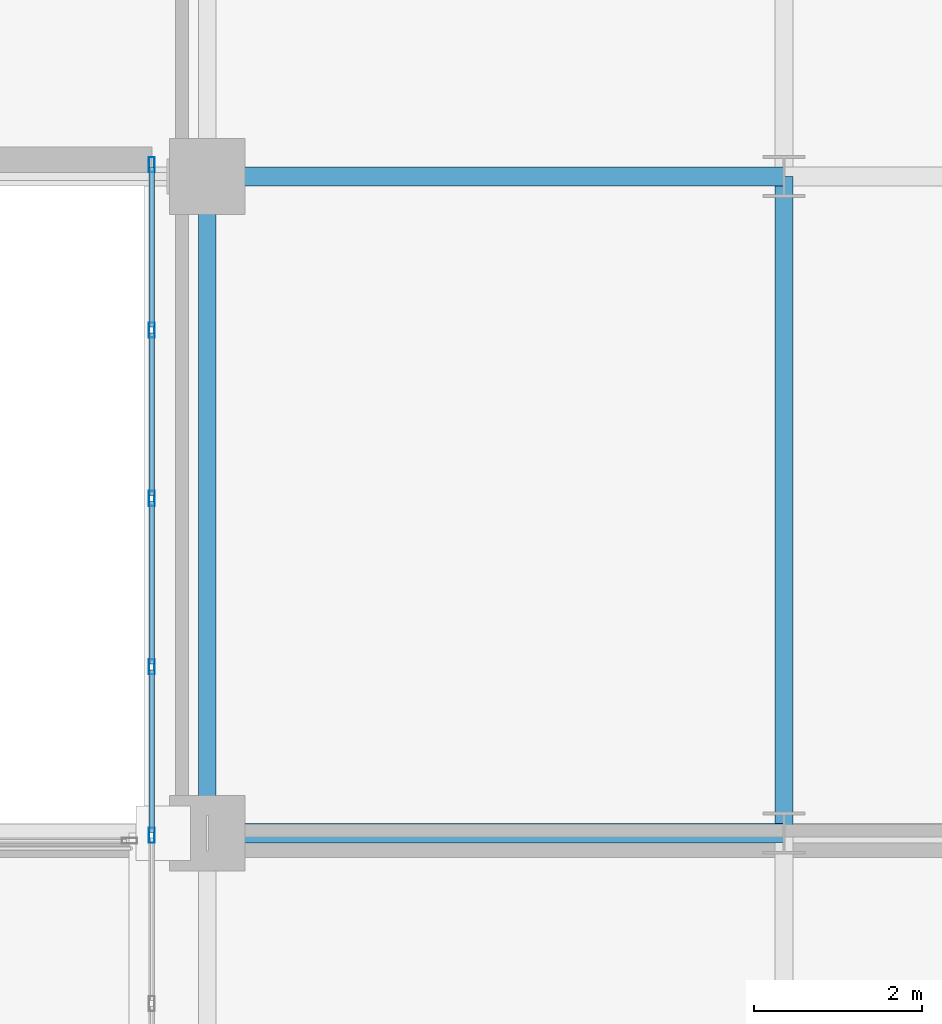
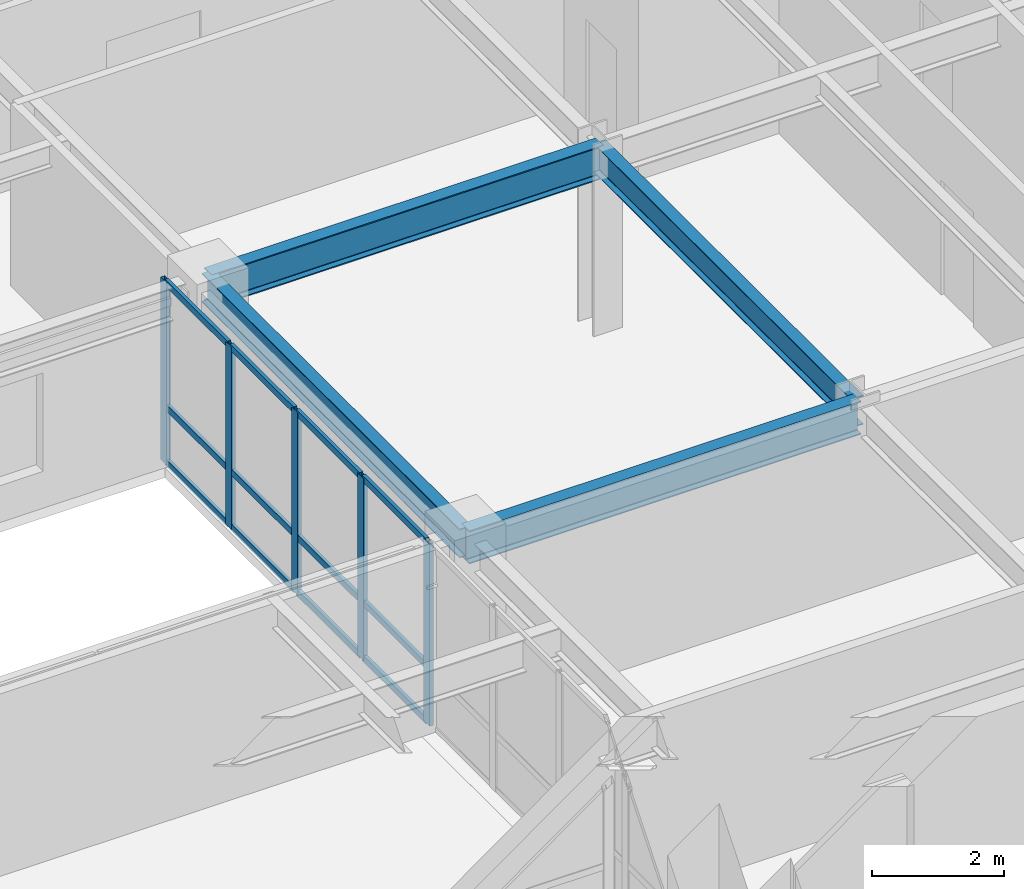
# One storey, part 7 of 25: 17 members, 4 beams, 1 element without a shape of its own.
"""IFC4 building model written with IfcOpenShell, lengths in metres."""

import ifcopenshell
import ifcopenshell.guid

model = None  # the IFC model being written
_history = None  # IfcOwnerHistory: only IFC2X3 demands one
_inside = {}  # id of a spatial element -> (the spatial element, [elements in it])
_under = {}  # id of a project, library or spatial element -> (it, [spatial elements below it])
_declared = {}  # id of a project -> (the project, [libraries it declares])
_typed = {}  # id of a type object -> (the type object, [elements of that type])
_made_of = {}  # id of a material, layer set ... -> (it, [elements and type objects made of it])


def new_model(schema):
    """Start an empty IFC model of exactly this schema.

    Asked for "IFC4X3", IfcOpenShell would pick the latest addendum, in which some entities
    have other attributes; the version numbers below select the first issue.
    IFC2X3 requires an IfcOwnerHistory on every rooted entity: one is made here for all.
    """
    global model, _history
    if schema == "IFC4X3":
        model = ifcopenshell.file(schema_version=(4, 3, 0, 0))
    else:
        model = ifcopenshell.file(schema=schema)
    _inside.clear()
    _under.clear()
    _declared.clear()
    _typed.clear()
    _made_of.clear()
    _history = None
    if model.schema == "IFC2X3":
        org = make("IfcOrganization", Name="unknown")
        user = make(
            "IfcPersonAndOrganization",
            ThePerson=make("IfcPerson", FamilyName="unknown"),
            TheOrganization=org,
        )
        app = make(
            "IfcApplication",
            ApplicationDeveloper=org,
            Version="unknown",
            ApplicationFullName="unknown",
            ApplicationIdentifier="unknown",
        )
        _history = make(
            "IfcOwnerHistory",
            OwningUser=user,
            OwningApplication=app,
            ChangeAction="ADDED",
            CreationDate=0,
        )
    return model


def make(cls, **values):
    """One entity of the class cls with the attributes given. An attribute that is None is left unset."""
    return model.create_entity(
        cls, **{name: value for name, value in values.items() if value is not None}
    )


def rooted(cls, **values):
    """An entity with a GlobalId (a new one), such as an element, a storey or a relation."""
    return make(cls, GlobalId=ifcopenshell.guid.new(), OwnerHistory=_history, **values)


def si_unit(unit_type, name, prefix=None):
    """IfcSIUnit, for example si_unit("LENGTHUNIT", "METRE", prefix="MILLI")."""
    return make("IfcSIUnit", UnitType=unit_type, Prefix=prefix, Name=name)


def assignment(units):
    """IfcUnitAssignment: the units of a project."""
    return None if units is None else make("IfcUnitAssignment", Units=units)


def point(xyz):
    """IfcCartesianPoint."""
    return None if xyz is None else make("IfcCartesianPoint", Coordinates=xyz)


def direction(xyz):
    """IfcDirection."""
    return None if xyz is None else make("IfcDirection", DirectionRatios=xyz)


def frame(location, z_axis=None, x_axis=None):
    """IfcAxis2Placement3D, a coordinate frame: its origin and axes. An axis left out is left unset."""
    return make(
        "IfcAxis2Placement3D",
        Location=point(location),
        Axis=direction(z_axis),
        RefDirection=direction(x_axis),
    )


def frame_2d(location, x_axis=None):
    """IfcAxis2Placement2D, a coordinate frame in the plane: its origin and x axis."""
    return make(
        "IfcAxis2Placement2D", Location=point(location), RefDirection=direction(x_axis)
    )


def origin():
    """The frame at (0, 0, 0) with its axes left unset."""
    return frame((0.0, 0.0, 0.0))


def origin_2d():
    """The frame at (0, 0) in the plane with its x axis left unset."""
    return frame_2d((0.0, 0.0))


def place(relative_to, where):
    """IfcLocalPlacement: puts the frame where relative to a parent placement (None: the world)."""
    return make(
        "IfcLocalPlacement", PlacementRelTo=relative_to, RelativePlacement=where
    )


def context(
    kind, dimensions, precision=None, world=None, true_north=None, identifier=None
):
    """IfcGeometricRepresentationContext, for example the 3D "Model" context."""
    return make(
        "IfcGeometricRepresentationContext",
        ContextIdentifier=identifier,
        ContextType=kind,
        CoordinateSpaceDimension=dimensions,
        Precision=precision,
        WorldCoordinateSystem=world,
        TrueNorth=true_north,
    )


def subcontext(parent, identifier, kind, view, scale=None):
    """IfcGeometricRepresentationSubContext, for example "Body" below "Model"."""
    return make(
        "IfcGeometricRepresentationSubContext",
        ContextIdentifier=identifier,
        ContextType=kind,
        ParentContext=parent,
        TargetScale=scale,
        TargetView=view,
    )


def project(units=None, contexts=None):
    """IfcProject with its units and contexts."""
    return rooted(
        "IfcProject",
        Name="project",
        RepresentationContexts=contexts,
        UnitsInContext=assignment(units),
    )


def spatial(cls, under=None, at=None, **own):
    """A site, building, storey or space (cls), placed at a placement, below another one or the project."""
    s = rooted(cls, ObjectPlacement=at, **own)
    if under is not None:
        _under.setdefault(under.id(), (under, []))[1].append(s)
    return s


def profile(cls, at=None, kind="AREA", **sizes):
    """A parametric profile (cls). Its sizes go by their IFC names, for example OverallWidth=200.0."""
    return make(cls, ProfileType=kind, Position=at, **sizes)


def hollow_rectangle(**sizes):
    """IfcRectangleHollowProfileDef."""
    return profile("IfcRectangleHollowProfileDef", **sizes)


def i_section(**sizes):
    """IfcIShapeProfileDef."""
    return profile("IfcIShapeProfileDef", **sizes)


def extrude(swept, where, along, depth):
    """IfcExtrudedAreaSolid: the profile swept, set in the frame where, extruded along a direction by depth."""
    return make(
        "IfcExtrudedAreaSolid",
        SweptArea=swept,
        Position=where,
        ExtrudedDirection=direction(along),
        Depth=depth,
    )


def shape(context_of_items, identifier, shape_type, items):
    """IfcShapeRepresentation: the items that make up one representation, for example the "Body"."""
    return make(
        "IfcShapeRepresentation",
        ContextOfItems=context_of_items,
        RepresentationIdentifier=identifier,
        RepresentationType=shape_type,
        Items=items,
    )


def source(mapping_origin, context_of_items, identifier, shape_type, items):
    """IfcRepresentationMap: a shape defined once, which mapped items show again and again."""
    return make(
        "IfcRepresentationMap",
        MappingOrigin=mapping_origin,
        MappedRepresentation=shape(context_of_items, identifier, shape_type, items),
    )


def transform(
    local_origin,
    x_axis=None,
    y_axis=None,
    z_axis=None,
    scale=None,
    scale2=None,
    scale3=None,
    uniform=True,
):
    """IfcCartesianTransformationOperator3D, or its non-uniform kind. x_axis, y_axis, z_axis: its Axis1, 2, 3."""
    if uniform:
        return make(
            "IfcCartesianTransformationOperator3D",
            Axis1=direction(x_axis),
            Axis2=direction(y_axis),
            LocalOrigin=point(local_origin),
            Scale=scale,
            Axis3=direction(z_axis),
        )
    return make(
        "IfcCartesianTransformationOperator3DnonUniform",
        Axis1=direction(x_axis),
        Axis2=direction(y_axis),
        LocalOrigin=point(local_origin),
        Scale=scale,
        Axis3=direction(z_axis),
        Scale2=scale2,
        Scale3=scale3,
    )


def mapped(mapping_source, mapping_target):
    """IfcMappedItem: shows the shape of a source again, moved by a transform."""
    return make(
        "IfcMappedItem", MappingSource=mapping_source, MappingTarget=mapping_target
    )


def material(Name=None, Category=None):
    """IfcMaterial."""
    return make("IfcMaterial", Name=Name, Category=Category)


def layer(
    of_material, thickness, ventilated=None, Name=None, Category=None, Priority=None
):
    """IfcMaterialLayer: one layer of a wall or slab, of a material (None: an air gap)."""
    return make(
        "IfcMaterialLayer",
        Material=of_material,
        LayerThickness=thickness,
        IsVentilated=ventilated,
        Name=Name,
        Category=Category,
        Priority=Priority,
    )


def layer_set(layers, Name=None):
    """IfcMaterialLayerSet."""
    return make("IfcMaterialLayerSet", MaterialLayers=layers, LayerSetName=Name)


def material_profile(
    of_material, cross_section, Name=None, Category=None, Priority=None
):
    """IfcMaterialProfile: a cross section and its material."""
    return make(
        "IfcMaterialProfile",
        Name=Name,
        Material=of_material,
        Profile=cross_section,
        Priority=Priority,
        Category=Category,
    )


def profile_set(profiles, Name=None, composite=None):
    """IfcMaterialProfileSet."""
    return make(
        "IfcMaterialProfileSet",
        Name=Name,
        MaterialProfiles=profiles,
        CompositeProfile=composite,
    )


def made_of(thing, what):
    """Note that an element or type object is made of a material, layer set ...; save() writes the relation."""
    if what is not None:
        _made_of.setdefault(what.id(), (what, []))[1].append(thing)
    return thing


def type_object(cls, material=None, **own):
    """A type object (cls), such as IfcWallType, which elements share."""
    return made_of(rooted(cls, **own), material)


def type_shapes(of_type, sources):
    """Give a type object the sources (RepresentationMaps) that its elements show as mapped items."""
    of_type.RepresentationMaps = sources


def element(
    cls,
    number,
    at=None,
    inside=None,
    cuts=None,
    type_object=None,
    material=None,
    context=None,
    identifier="Body",
    shape_type=None,
    held_by="IfcProductDefinitionShape",
    body=None,
    shapes=None,
    **own,
):
    """One element of the class cls, such as IfcWall. Its Tag is "e" and its number.

    at: its placement. inside: the storey or other place that contains it. cuts: it is an
    opening in that element (IfcRelVoidsElement). A single representation is given by context,
    identifier, shape_type and body (its items); several are given by shapes. held_by: the class
    of the entity that holds the representations. save() writes the other relations.
    """
    e = rooted(cls, Tag="e%d" % number, ObjectPlacement=at, **own)
    if body is not None:
        shapes = [shape(context, identifier, shape_type, body)]
    if shapes is not None:
        e.Representation = make(held_by, Representations=shapes)
    if inside is not None:
        _inside.setdefault(inside.id(), (inside, []))[1].append(e)
    if cuts is not None:
        rooted(
            "IfcRelVoidsElement", RelatingBuildingElement=cuts, RelatedOpeningElement=e
        )
    if type_object is not None:
        _typed.setdefault(type_object.id(), (type_object, []))[1].append(e)
    return made_of(e, material)


def aggregate(whole, parts):
    """IfcRelAggregates: a whole, such as a stair, and the parts it consists of."""
    return rooted("IfcRelAggregates", RelatingObject=whole, RelatedObjects=parts)


def save(model, path):
    """Write the relations noted so far, then the file.

    IfcRelAggregates (storeys below a building ...), IfcRelContainedInSpatialStructure (elements
    in a storey), IfcRelDefinesByType, IfcRelAssociatesMaterial and IfcRelDeclares: one each for
    every whole, place, type object, material and project.
    """
    for whole, parts in _under.values():
        aggregate(whole, parts)
    for where, things in _inside.values():
        rooted(
            "IfcRelContainedInSpatialStructure",
            RelatedElements=things,
            RelatingStructure=where,
        )
    for kind, things in _typed.values():
        rooted("IfcRelDefinesByType", RelatedObjects=things, RelatingType=kind)
    for what, things in _made_of.values():
        rooted("IfcRelAssociatesMaterial", RelatedObjects=things, RelatingMaterial=what)
    for by, libraries in _declared.values():
        rooted("IfcRelDeclares", RelatingContext=by, RelatedDefinitions=libraries)
    model.write(path)


model = new_model("IFC4")

# Units and contexts
model_context = context("Model", 3, precision=1e-05, world=origin(), true_north=direction((0.0, 1.0)))
body_context = subcontext(model_context, "Body", "Model", "MODEL_VIEW")
ifc_project = project(units=[si_unit("LENGTHUNIT", "METRE"), si_unit("AREAUNIT", "SQUARE_METRE"), si_unit("VOLUMEUNIT", "CUBIC_METRE"), si_unit("PLANEANGLEUNIT", "RADIAN"), si_unit("MASSUNIT", "GRAM", prefix="KILO")], contexts=[model_context])

# Site, building, storey
site_placement = place(None, origin())
site = spatial("IfcSite", under=ifc_project, at=site_placement, CompositionType="ELEMENT")
building_placement = place(site_placement, origin())
building = spatial("IfcBuilding", under=site, at=building_placement, Name="Tolvann Quenvar Hotel", CompositionType="ELEMENT")
storey_placement = place(building_placement, frame((0.0, 0.0, 122.199951171875)))
storey = spatial("IfcBuildingStorey", under=building, at=storey_placement, Name="L31", CompositionType="ELEMENT", Elevation=122.199951171875)

# Beams
ifc_material_1 = material(Name="Steel Grade 350", Category="steel")
ifc_material_profile_1 = material_profile(ifc_material_1, i_section(OverallWidth=0.22900390625, OverallDepth=0.612060546875, WebThickness=0.011962890625, FlangeThickness=0.01953125, FilletRadius=0.013916015625, at=origin_2d()), Name="610UB125")
ifc_profile_set_1 = profile_set([ifc_material_profile_1], Name="Steel Grade 350")
beam_type_1 = type_object("IfcBeamType", Name="BM_GIRD_610UB125", PredefinedType="BEAM", material=ifc_profile_set_1)
shared_shape_1 = source(origin(), body_context, "Body", "SweptSolid", [
    extrude(i_section(OverallWidth=0.22900390625, OverallDepth=0.612060546875, WebThickness=0.011962890625, FlangeThickness=0.01953125, FilletRadius=0.013916015625, at=origin_2d()), origin(), (0.0, 0.0, 1.0), 6.85009765625),
])
type_shapes(beam_type_1, [shared_shape_1])
for number, where, z_axis, x_axis, name in (
    (1, (34.949951171875, 8.199951171875, 3.06396484375), (1.0, 0.0, 0.0), (0.0, 1.0, 0.0), "BM-L31-EW-3-F3-H3"),
    (2, (34.949951171875, 16.0, 3.06396484375), (1.0, 0.0, 0.0), (0.0, 1.0, 0.0), "BM-L31-EW-4-F4-H4"),
):
    element("IfcBeam", number, at=place(storey_placement, frame(where, z_axis=z_axis, x_axis=x_axis)), inside=storey, type_object=beam_type_1, Name=name, PredefinedType="BEAM", context=body_context, shape_type="MappedRepresentation", body=[
        mapped(shared_shape_1, transform((0.0, 0.0, 0.0), x_axis=(1.0, 0.0, 0.0), y_axis=(0.0, 1.0, 0.0), z_axis=(0.0, 0.0, 1.0), scale=1.0)),
    ])
ifc_material_profile_2 = material_profile(ifc_material_1, i_section(OverallWidth=0.208984375, OverallDepth=0.532958984375, WebThickness=0.01025390625, FlangeThickness=0.015625, FilletRadius=0.013916015625, at=origin_2d()), Name="530UB92")
ifc_profile_set_2 = profile_set([ifc_material_profile_2], Name="Steel Grade 350")
beam_type_2 = type_object("IfcBeamType", Name="BM_GIRD_530UB92", PredefinedType="BEAM", material=ifc_profile_set_2)
shared_shape_2 = source(origin(), body_context, "Body", "SweptSolid", [
    extrude(i_section(OverallWidth=0.208984375, OverallDepth=0.532958984375, WebThickness=0.01025390625, FlangeThickness=0.015625, FilletRadius=0.013916015625, at=origin_2d()), origin(), (0.0, 0.0, 1.0), 7.800048828125),
])
type_shapes(beam_type_2, [shared_shape_2])
for number, where, z_axis, x_axis, name in (
    (3, (34.949951171875, 8.199951171875, 3.103515625), (0.0, 1.0, 0.0), (-1.0, 0.0, 0.0), "BM-L31-NS-F3-F4"),
    (4, (41.800048828125, 8.199951171875, 3.103515625), (0.0, 1.0, 0.0), (-1.0, 0.0, 0.0), "BM-L31-NS-H3-H4"),
):
    element("IfcBeam", number, at=place(storey_placement, frame(where, z_axis=z_axis, x_axis=x_axis)), inside=storey, type_object=beam_type_2, Name=name, PredefinedType="BEAM", context=body_context, shape_type="MappedRepresentation", body=[
        mapped(shared_shape_2, transform((0.0, 0.0, 0.0), x_axis=(1.0, 0.0, 0.0), y_axis=(0.0, 1.0, 0.0), z_axis=(0.0, 0.0, 1.0), scale=1.0)),
    ])

# Curtain wall, members
ifc_material_2 = material(Name="Thermally broken anodised architectural aluminium 6063-T6 and laminated low-E glass", Category="aluminium")
ifc_layer = layer(ifc_material_2, 0.179931640625)
ifc_layer_set = layer_set([ifc_layer], Name="Thermally broken anodised architectural aluminium 6063-T6 and laminated low-E glass")
curtain_wall_type = type_object("IfcCurtainWallType", Name="CW_SYS_SLOT_03", PredefinedType="USERDEFINED", material=ifc_layer_set)
curtain_wall_placement = place(storey_placement, origin())
curtain_wall = element("IfcCurtainWall", 5, at=curtain_wall_placement, inside=storey, type_object=curtain_wall_type, Name="Curtain Wall CW-SLOT-03 (CWR-L31-E07)", ObjectType="UNITISED CURTAIN WALL", PredefinedType="USERDEFINED")
ifc_material_3 = material(Name="Anodised architectural aluminium 6063-T6 framing", Category="aluminium")
ifc_material_profile_3 = material_profile(ifc_material_3, hollow_rectangle(XDim=0.070068359375, YDim=0.179931640625, WallThickness=0.00390625, at=origin_2d()), Name="180x70x4RHS")
ifc_profile_set_3 = profile_set([ifc_material_profile_3], Name="Anodised architectural aluminium 6063-T6 framing")
member_type_1 = type_object("IfcMemberType", Name="CW_MULL_180x70", PredefinedType="MULLION", material=ifc_profile_set_3)
shared_shape_3 = source(origin(), body_context, "Body", "SweptSolid", [
    extrude(hollow_rectangle(XDim=0.070068359375, YDim=0.179931640625, WallThickness=0.00390625, at=origin_2d()), origin(), (0.0, 0.0, 1.0), 3.3701171875),
])
type_shapes(member_type_1, [shared_shape_3])
member_1_placement = place(storey_placement, frame((34.2900390625, 16.139892578125, 0.0), z_axis=(0.0, 0.0, 1.0), x_axis=(1.0, 0.0, 0.0)))
member_1 = element("IfcMember", 6, at=member_1_placement, type_object=member_type_1, Name="CW-SLOT-03 mullion 1", PredefinedType="MULLION", context=body_context, shape_type="MappedRepresentation", body=[
    mapped(shared_shape_3, transform((0.0, 0.0, 0.0), x_axis=(1.0, 0.0, 0.0), y_axis=(0.0, 1.0, 0.0), z_axis=(0.0, 0.0, 1.0), scale=1.0)),
])
member_2_placement = place(storey_placement, frame((34.2900390625, 14.175048828125, 0.0), z_axis=(0.0, 0.0, 1.0), x_axis=(1.0, 0.0, 0.0)))
member_2 = element("IfcMember", 7, at=member_2_placement, type_object=member_type_1, Name="CW-SLOT-03 mullion 2", PredefinedType="MULLION", context=body_context, shape_type="MappedRepresentation", body=[
    mapped(shared_shape_3, transform((0.0, 0.0, 0.0), x_axis=(1.0, 0.0, 0.0), y_axis=(0.0, 1.0, 0.0), z_axis=(0.0, 0.0, 1.0), scale=1.0)),
])
member_3_placement = place(storey_placement, frame((34.2900390625, 12.175048828125, 0.0), z_axis=(0.0, 0.0, 1.0), x_axis=(1.0, 0.0, 0.0)))
member_3 = element("IfcMember", 8, at=member_3_placement, type_object=member_type_1, Name="CW-SLOT-03 mullion 3", PredefinedType="MULLION", context=body_context, shape_type="MappedRepresentation", body=[
    mapped(shared_shape_3, transform((0.0, 0.0, 0.0), x_axis=(1.0, 0.0, 0.0), y_axis=(0.0, 1.0, 0.0), z_axis=(0.0, 0.0, 1.0), scale=1.0)),
])
member_4_placement = place(storey_placement, frame((34.2900390625, 10.175048828125, 0.0), z_axis=(0.0, 0.0, 1.0), x_axis=(1.0, 0.0, 0.0)))
member_4 = element("IfcMember", 9, at=member_4_placement, type_object=member_type_1, Name="CW-SLOT-03 mullion 4", PredefinedType="MULLION", context=body_context, shape_type="MappedRepresentation", body=[
    mapped(shared_shape_3, transform((0.0, 0.0, 0.0), x_axis=(1.0, 0.0, 0.0), y_axis=(0.0, 1.0, 0.0), z_axis=(0.0, 0.0, 1.0), scale=1.0)),
])
member_5_placement = place(storey_placement, frame((34.2900390625, 8.175048828125, 0.0), z_axis=(0.0, 0.0, 1.0), x_axis=(1.0, 0.0, 0.0)))
member_5 = element("IfcMember", 10, at=member_5_placement, type_object=member_type_1, Name="CW-SLOT-03 mullion 5", PredefinedType="MULLION", context=body_context, shape_type="MappedRepresentation", body=[
    mapped(shared_shape_3, transform((0.0, 0.0, 0.0), x_axis=(1.0, 0.0, 0.0), y_axis=(0.0, 1.0, 0.0), z_axis=(0.0, 0.0, 1.0), scale=1.0)),
])
ifc_material_profile_4 = material_profile(ifc_material_3, hollow_rectangle(XDim=0.06005859375, YDim=0.1201171875, WallThickness=0.00341796875, at=origin_2d()), Name="120x60x3.5RHS")
ifc_profile_set_4 = profile_set([ifc_material_profile_4], Name="Anodised architectural aluminium 6063-T6 framing")
member_type_2 = type_object("IfcMemberType", Name="CW_TRAN_120x60", PredefinedType="USERDEFINED", material=ifc_profile_set_4)
shared_shape_4 = source(origin(), body_context, "Body", "SweptSolid", [
    extrude(hollow_rectangle(XDim=0.06005859375, YDim=0.1201171875, WallThickness=0.00341796875, at=origin_2d()), origin(), (0.0, 0.0, 1.0), 1.929931640625),
])
member_6_placement = place(storey_placement, frame((34.2900390625, 14.139892578125, 0.030029296875), z_axis=(0.0, -1.0, 0.0), x_axis=(1.0, 0.0, 0.0)))
member_6 = element("IfcMember", 11, at=member_6_placement, type_object=member_type_2, Name="CW-SLOT-03 transom 2.1", ObjectType="TRANSOM", PredefinedType="USERDEFINED", context=body_context, shape_type="MappedRepresentation", body=[
    mapped(shared_shape_4, transform((0.0, 0.0, 0.0), x_axis=(1.0, 0.0, 0.0), y_axis=(0.0, 1.0, 0.0), z_axis=(0.0, 0.0, 1.0), scale=1.0)),
])
member_7_placement = place(storey_placement, frame((34.2900390625, 14.139892578125, 1.050048828125), z_axis=(0.0, -1.0, 0.0), x_axis=(1.0, 0.0, 0.0)))
member_7 = element("IfcMember", 12, at=member_7_placement, type_object=member_type_2, Name="CW-SLOT-03 transom 2.2", ObjectType="TRANSOM", PredefinedType="USERDEFINED", context=body_context, shape_type="MappedRepresentation", body=[
    mapped(shared_shape_4, transform((0.0, 0.0, 0.0), x_axis=(1.0, 0.0, 0.0), y_axis=(0.0, 1.0, 0.0), z_axis=(0.0, 0.0, 1.0), scale=1.0)),
])
member_8_placement = place(storey_placement, frame((34.2900390625, 14.139892578125, 3.340087890625), z_axis=(0.0, -1.0, 0.0), x_axis=(1.0, 0.0, 0.0)))
member_8 = element("IfcMember", 13, at=member_8_placement, type_object=member_type_2, Name="CW-SLOT-03 transom 2.3", ObjectType="TRANSOM", PredefinedType="USERDEFINED", context=body_context, shape_type="MappedRepresentation", body=[
    mapped(shared_shape_4, transform((0.0, 0.0, 0.0), x_axis=(1.0, 0.0, 0.0), y_axis=(0.0, 1.0, 0.0), z_axis=(0.0, 0.0, 1.0), scale=1.0)),
])
member_9_placement = place(storey_placement, frame((34.2900390625, 12.139892578125, 0.030029296875), z_axis=(0.0, -1.0, 0.0), x_axis=(1.0, 0.0, 0.0)))
member_9 = element("IfcMember", 14, at=member_9_placement, type_object=member_type_2, Name="CW-SLOT-03 transom 3.1", ObjectType="TRANSOM", PredefinedType="USERDEFINED", context=body_context, shape_type="MappedRepresentation", body=[
    mapped(shared_shape_4, transform((0.0, 0.0, 0.0), x_axis=(1.0, 0.0, 0.0), y_axis=(0.0, 1.0, 0.0), z_axis=(0.0, 0.0, 1.0), scale=1.0)),
])
member_10_placement = place(storey_placement, frame((34.2900390625, 12.139892578125, 1.050048828125), z_axis=(0.0, -1.0, 0.0), x_axis=(1.0, 0.0, 0.0)))
member_10 = element("IfcMember", 15, at=member_10_placement, type_object=member_type_2, Name="CW-SLOT-03 transom 3.2", ObjectType="TRANSOM", PredefinedType="USERDEFINED", context=body_context, shape_type="MappedRepresentation", body=[
    mapped(shared_shape_4, transform((0.0, 0.0, 0.0), x_axis=(1.0, 0.0, 0.0), y_axis=(0.0, 1.0, 0.0), z_axis=(0.0, 0.0, 1.0), scale=1.0)),
])
member_11_placement = place(storey_placement, frame((34.2900390625, 12.139892578125, 3.340087890625), z_axis=(0.0, -1.0, 0.0), x_axis=(1.0, 0.0, 0.0)))
member_11 = element("IfcMember", 16, at=member_11_placement, type_object=member_type_2, Name="CW-SLOT-03 transom 3.3", ObjectType="TRANSOM", PredefinedType="USERDEFINED", context=body_context, shape_type="MappedRepresentation", body=[
    mapped(shared_shape_4, transform((0.0, 0.0, 0.0), x_axis=(1.0, 0.0, 0.0), y_axis=(0.0, 1.0, 0.0), z_axis=(0.0, 0.0, 1.0), scale=1.0)),
])
member_12_placement = place(storey_placement, frame((34.2900390625, 10.139892578125, 0.030029296875), z_axis=(0.0, -1.0, 0.0), x_axis=(1.0, 0.0, 0.0)))
member_12 = element("IfcMember", 17, at=member_12_placement, type_object=member_type_2, Name="CW-SLOT-03 transom 4.1", ObjectType="TRANSOM", PredefinedType="USERDEFINED", context=body_context, shape_type="MappedRepresentation", body=[
    mapped(shared_shape_4, transform((0.0, 0.0, 0.0), x_axis=(1.0, 0.0, 0.0), y_axis=(0.0, 1.0, 0.0), z_axis=(0.0, 0.0, 1.0), scale=1.0)),
])
member_13_placement = place(storey_placement, frame((34.2900390625, 10.139892578125, 1.050048828125), z_axis=(0.0, -1.0, 0.0), x_axis=(1.0, 0.0, 0.0)))
member_13 = element("IfcMember", 18, at=member_13_placement, type_object=member_type_2, Name="CW-SLOT-03 transom 4.2", ObjectType="TRANSOM", PredefinedType="USERDEFINED", context=body_context, shape_type="MappedRepresentation", body=[
    mapped(shared_shape_4, transform((0.0, 0.0, 0.0), x_axis=(1.0, 0.0, 0.0), y_axis=(0.0, 1.0, 0.0), z_axis=(0.0, 0.0, 1.0), scale=1.0)),
])
member_14_placement = place(storey_placement, frame((34.2900390625, 10.139892578125, 3.340087890625), z_axis=(0.0, -1.0, 0.0), x_axis=(1.0, 0.0, 0.0)))
member_14 = element("IfcMember", 19, at=member_14_placement, type_object=member_type_2, Name="CW-SLOT-03 transom 4.3", ObjectType="TRANSOM", PredefinedType="USERDEFINED", context=body_context, shape_type="MappedRepresentation", body=[
    mapped(shared_shape_4, transform((0.0, 0.0, 0.0), x_axis=(1.0, 0.0, 0.0), y_axis=(0.0, 1.0, 0.0), z_axis=(0.0, 0.0, 1.0), scale=1.0)),
])
shared_shape_5 = source(origin(), body_context, "Body", "SweptSolid", [
    extrude(hollow_rectangle(XDim=0.06005859375, YDim=0.1201171875, WallThickness=0.00341796875, at=origin_2d()), origin(), (0.0, 0.0, 1.0), 1.89501953125),
])
type_shapes(member_type_2, [shared_shape_4, shared_shape_5])
member_15_placement = place(storey_placement, frame((34.2900390625, 16.10498046875, 0.030029296875), z_axis=(0.0, -1.0, 0.0), x_axis=(1.0, 0.0, 0.0)))
member_15 = element("IfcMember", 20, at=member_15_placement, type_object=member_type_2, Name="CW-SLOT-03 transom 1.1", ObjectType="TRANSOM", PredefinedType="USERDEFINED", context=body_context, shape_type="MappedRepresentation", body=[
    mapped(shared_shape_5, transform((0.0, 0.0, 0.0), x_axis=(1.0, 0.0, 0.0), y_axis=(0.0, 1.0, 0.0), z_axis=(0.0, 0.0, 1.0), scale=1.0)),
])
member_16_placement = place(storey_placement, frame((34.2900390625, 16.10498046875, 1.050048828125), z_axis=(0.0, -1.0, 0.0), x_axis=(1.0, 0.0, 0.0)))
member_16 = element("IfcMember", 21, at=member_16_placement, type_object=member_type_2, Name="CW-SLOT-03 transom 1.2", ObjectType="TRANSOM", PredefinedType="USERDEFINED", context=body_context, shape_type="MappedRepresentation", body=[
    mapped(shared_shape_5, transform((0.0, 0.0, 0.0), x_axis=(1.0, 0.0, 0.0), y_axis=(0.0, 1.0, 0.0), z_axis=(0.0, 0.0, 1.0), scale=1.0)),
])
member_17_placement = place(storey_placement, frame((34.2900390625, 16.10498046875, 3.340087890625), z_axis=(0.0, -1.0, 0.0), x_axis=(1.0, 0.0, 0.0)))
member_17 = element("IfcMember", 22, at=member_17_placement, type_object=member_type_2, Name="CW-SLOT-03 transom 1.3", ObjectType="TRANSOM", PredefinedType="USERDEFINED", context=body_context, shape_type="MappedRepresentation", body=[
    mapped(shared_shape_5, transform((0.0, 0.0, 0.0), x_axis=(1.0, 0.0, 0.0), y_axis=(0.0, 1.0, 0.0), z_axis=(0.0, 0.0, 1.0), scale=1.0)),
])
aggregate(curtain_wall, [member_1, member_2, member_3, member_4, member_5, member_15, member_16, member_17, member_6, member_7, member_8, member_9, member_10, member_11, member_12, member_13, member_14])

save(model, "model.ifc")
